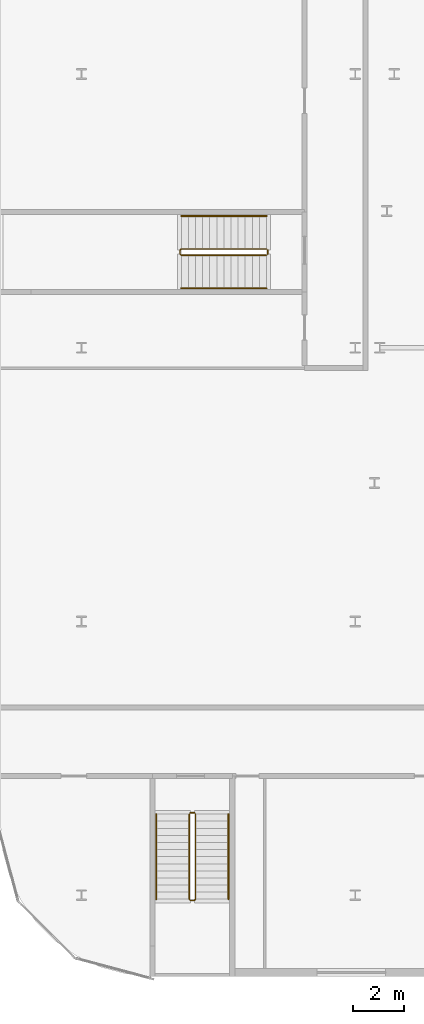
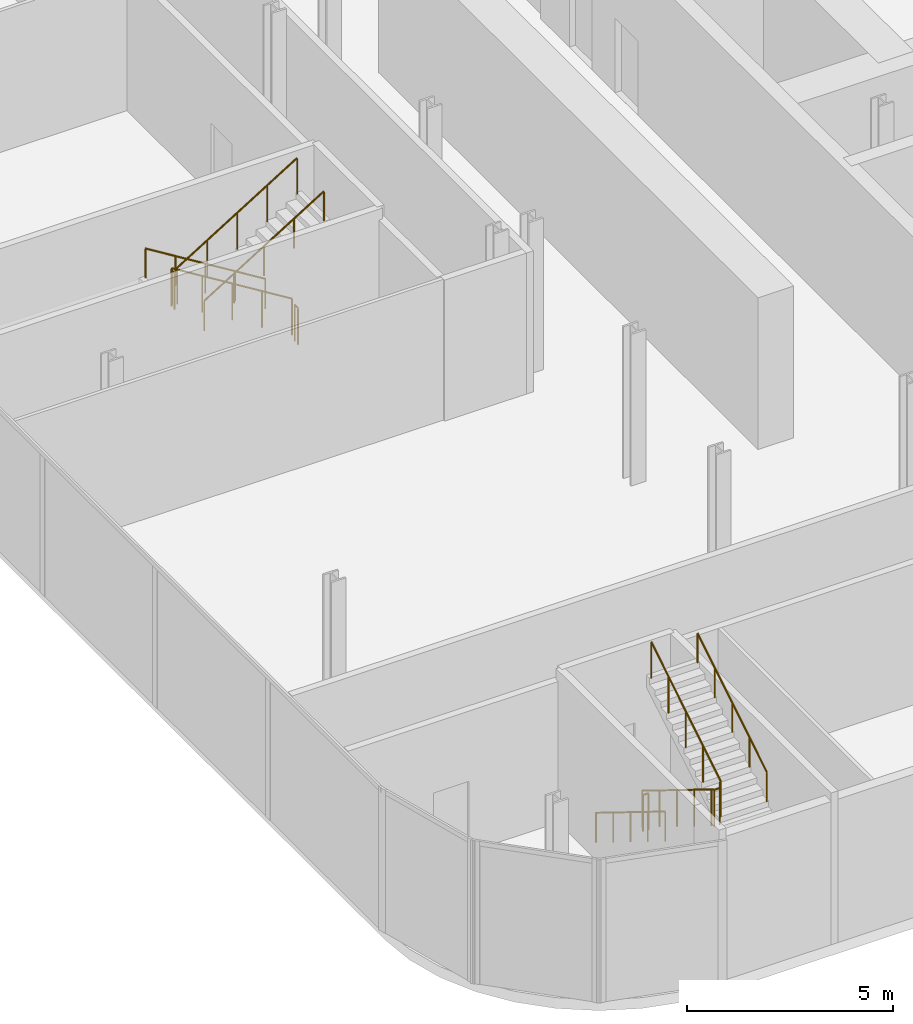
# One storey, part 39 of 47: 8 railings.
"""IFC4 building model written with IfcOpenShell, lengths in metres."""

from ifc_helpers import new_model, si_unit, direction, frame, origin, origin_2d, place, context, subcontext, project, spatial, circle, extrude, material, type_object, element, save


model = new_model("IFC4")

# Units and contexts
model_context = context("Model", 3, precision=1e-05, world=origin(), true_north=direction((0.0, 1.0)))
body_context = subcontext(model_context, "Body", "Model", "MODEL_VIEW")
ifc_project = project(units=[si_unit("LENGTHUNIT", "METRE"), si_unit("AREAUNIT", "SQUARE_METRE"), si_unit("VOLUMEUNIT", "CUBIC_METRE"), si_unit("PLANEANGLEUNIT", "RADIAN"), si_unit("MASSUNIT", "GRAM", prefix="KILO")], contexts=[model_context])

# Site, building, storey
site_placement = place(None, origin())
site = spatial("IfcSite", under=ifc_project, at=site_placement, CompositionType="ELEMENT")
building_placement = place(site_placement, origin())
building = spatial("IfcBuilding", under=site, at=building_placement, Name="Kheshtan School and Residences Tower", CompositionType="ELEMENT")
storey_placement = place(building_placement, frame((0.0, 0.0, 12.5)))
storey = spatial("IfcBuildingStorey", under=building, at=storey_placement, Name="L02", CompositionType="ELEMENT", Elevation=12.5)

# Railings
ifc_material_1 = material(Name="Stainless steel balustrade", Category="steel")
railing_type_1 = type_object("IfcRailingType", Name="Stair guard 1100", PredefinedType="GUARDRAIL", material=ifc_material_1)
railing_1_placement = place(storey_placement, frame((22.5, 38.699951171875, 0.173095703125)))
element("IfcRailing", 1, at=railing_1_placement, inside=storey, type_object=railing_type_1, Name="L02 PS-012-037 stair guard 1", PredefinedType="GUARDRAIL", context=body_context, shape_type="SweptSolid", body=[
    extrude(circle(Radius=0.02392578125, at=origin_2d()), frame((0.0, 0.0, 1.076171875), z_axis=(-0.850623216509, 0.0, 0.525775754039), x_axis=(0.0, -1.0, 0.0)), (0.0, 0.0, 1.0), 3.9501953125),
    extrude(circle(Radius=0.02392578125, at=origin_2d()), frame((-3.360107421875, 0.0, 3.15283203125), z_axis=(-0.705375805398, -0.708833529934, 0.0), x_axis=(0.708833529934, -0.705375805398, 0.0)), (0.0, 0.0, 1.0), 0.070556640625),
    extrude(circle(Radius=0.02392578125, at=origin_2d()), frame((-3.409912109375, -0.050048828125, 3.15283203125), z_axis=(0.0, -1.0, 0.0), x_axis=(1.0, 0.0, 0.0)), (0.0, 0.0, 1.0), 0.14990234375),
    extrude(circle(Radius=0.02392578125, at=origin_2d()), frame((-3.409912109375, -0.199951171875, 3.15283203125), z_axis=(0.266417085129, -0.267723051232, 0.925929967433), x_axis=(0.708833529934, 0.705375805398, 0.0)), (0.0, 0.0, 1.0), 0.18701171875),
    extrude(circle(Radius=0.02392578125, at=origin_2d()), frame((-3.360107421875, -0.25, 3.326171875), z_axis=(0.850623216509, 0.0, 0.525775754039), x_axis=(0.0, 1.0, 0.0)), (0.0, 0.0, 1.0), 3.9501953125),
    extrude(circle(Radius=0.02099609375, at=origin_2d()), origin(), (0.0, 0.0, 1.0), 1.052001953125),
    extrude(circle(Radius=0.02099609375, at=origin_2d()), frame((-0.840087890625, 0.0, 0.519287109375)), (0.0, 0.0, 1.0), 1.052001953125),
    extrude(circle(Radius=0.02099609375, at=origin_2d()), frame((-1.68017578125, 0.0, 1.03857421875)), (0.0, 0.0, 1.0), 1.052001953125),
    extrude(circle(Radius=0.02099609375, at=origin_2d()), frame((-2.52001953125, 0.0, 1.5576171875)), (0.0, 0.0, 1.0), 1.052001953125),
    extrude(circle(Radius=0.02099609375, at=origin_2d()), frame((-3.360107421875, 0.0, 2.076904296875)), (0.0, 0.0, 1.0), 1.052001953125),
    extrude(circle(Radius=0.02099609375, at=origin_2d()), frame((-3.409912109375, -0.050048828125, 2.076904296875)), (0.0, 0.0, 1.0), 1.052001953125),
    extrude(circle(Radius=0.02099609375, at=origin_2d()), frame((-3.409912109375, -0.199951171875, 2.076904296875)), (0.0, 0.0, 1.0), 1.052001953125),
    extrude(circle(Radius=0.02099609375, at=origin_2d()), frame((-3.360107421875, -0.25, 2.25)), (0.0, 0.0, 1.0), 1.052001953125),
    extrude(circle(Radius=0.02099609375, at=origin_2d()), frame((-2.52001953125, -0.25, 2.769287109375)), (0.0, 0.0, 1.0), 1.052001953125),
    extrude(circle(Radius=0.02099609375, at=origin_2d()), frame((-1.68017578125, -0.25, 3.28857421875)), (0.0, 0.0, 1.0), 1.052001953125),
    extrude(circle(Radius=0.02099609375, at=origin_2d()), frame((-0.840087890625, -0.25, 3.8076171875)), (0.0, 0.0, 1.0), 1.052001953125),
    extrude(circle(Radius=0.02099609375, at=origin_2d()), frame((0.0, -0.25, 4.326904296875)), (0.0, 0.0, 1.0), 1.052001953125),
])
railing_2_placement = place(storey_placement, frame((22.550048828125, 38.64990234375, 0.0)))
element("IfcRailing", 2, at=railing_2_placement, inside=storey, type_object=railing_type_1, Name="L02 PS-012-037 stair guard 2", PredefinedType="GUARDRAIL", context=body_context, shape_type="SweptSolid", body=[
    extrude(circle(Radius=0.02392578125, at=origin_2d()), frame((0.0, 0.0, 1.076171875), z_axis=(0.0, -1.0, 0.0), x_axis=(1.0, 0.0, 0.0)), (0.0, 0.0, 1.0), 0.14990234375),
    extrude(circle(Radius=0.02099609375, at=origin_2d()), origin(), (0.0, 0.0, 1.0), 1.052001953125),
    extrude(circle(Radius=0.02099609375, at=origin_2d()), frame((0.0, -0.14990234375, 0.0)), (0.0, 0.0, 1.0), 1.052001953125),
])
railing_3_placement = place(storey_placement, frame((19.449951171875, 16.39990234375, 0.173095703125)))
element("IfcRailing", 3, at=railing_3_placement, inside=storey, type_object=railing_type_1, Name="L02 PS-018-010 stair guard 1", PredefinedType="GUARDRAIL", context=body_context, shape_type="SweptSolid", body=[
    extrude(circle(Radius=0.02392578125, at=origin_2d()), frame((0.0, 0.0, 1.076171875), z_axis=(0.0, -0.850606129759, 0.525803396734), x_axis=(1.0, 0.0, 0.0)), (0.0, 0.0, 1.0), 3.949951171875),
    extrude(circle(Radius=0.02392578125, at=origin_2d()), frame((0.0, -3.35986328125, 3.15283203125), z_axis=(0.707106781187, -0.707106781187, 0.0), x_axis=(0.707106781187, 0.707106781187, 0.0)), (0.0, 0.0, 1.0), 0.07080078125),
    extrude(circle(Radius=0.02392578125, at=origin_2d()), frame((0.050048828125, -3.409912109375, 3.15283203125), z_axis=(1.0, 0.0, 0.0), x_axis=(0.0, 1.0, 0.0)), (0.0, 0.0, 1.0), 0.14990234375),
    extrude(circle(Radius=0.02392578125, at=origin_2d()), frame((0.199951171875, -3.409912109375, 3.15283203125), z_axis=(0.267629722418, 0.267629722418, 0.925607186314), x_axis=(-0.707106781187, 0.707106781187, 0.0)), (0.0, 0.0, 1.0), 0.18701171875),
    extrude(circle(Radius=0.02392578125, at=origin_2d()), frame((0.25, -3.35986328125, 3.326171875), z_axis=(0.0, 0.850606129759, 0.525803396734), x_axis=(-1.0, 0.0, 0.0)), (0.0, 0.0, 1.0), 3.949951171875),
    extrude(circle(Radius=0.02099609375, at=origin_2d()), origin(), (0.0, 0.0, 1.0), 1.052001953125),
    extrude(circle(Radius=0.02099609375, at=origin_2d()), frame((0.0, -0.83984375, 0.519287109375)), (0.0, 0.0, 1.0), 1.052001953125),
    extrude(circle(Radius=0.02099609375, at=origin_2d()), frame((0.0, -1.679931640625, 1.03857421875)), (0.0, 0.0, 1.0), 1.052001953125),
    extrude(circle(Radius=0.02099609375, at=origin_2d()), frame((0.0, -2.52001953125, 1.5576171875)), (0.0, 0.0, 1.0), 1.052001953125),
    extrude(circle(Radius=0.02099609375, at=origin_2d()), frame((0.0, -3.35986328125, 2.076904296875)), (0.0, 0.0, 1.0), 1.052001953125),
    extrude(circle(Radius=0.02099609375, at=origin_2d()), frame((0.050048828125, -3.409912109375, 2.076904296875)), (0.0, 0.0, 1.0), 1.052001953125),
    extrude(circle(Radius=0.02099609375, at=origin_2d()), frame((0.199951171875, -3.409912109375, 2.076904296875)), (0.0, 0.0, 1.0), 1.052001953125),
    extrude(circle(Radius=0.02099609375, at=origin_2d()), frame((0.25, -3.35986328125, 2.25)), (0.0, 0.0, 1.0), 1.052001953125),
    extrude(circle(Radius=0.02099609375, at=origin_2d()), frame((0.25, -2.52001953125, 2.769287109375)), (0.0, 0.0, 1.0), 1.052001953125),
    extrude(circle(Radius=0.02099609375, at=origin_2d()), frame((0.25, -1.679931640625, 3.28857421875)), (0.0, 0.0, 1.0), 1.052001953125),
    extrude(circle(Radius=0.02099609375, at=origin_2d()), frame((0.25, -0.83984375, 3.8076171875)), (0.0, 0.0, 1.0), 1.052001953125),
    extrude(circle(Radius=0.02099609375, at=origin_2d()), frame((0.25, 0.0, 4.326904296875)), (0.0, 0.0, 1.0), 1.052001953125),
])
railing_4_placement = place(storey_placement, frame((19.5, 16.449951171875, 0.0)))
element("IfcRailing", 4, at=railing_4_placement, inside=storey, type_object=railing_type_1, Name="L02 PS-018-010 stair guard 2", PredefinedType="GUARDRAIL", context=body_context, shape_type="SweptSolid", body=[
    extrude(circle(Radius=0.02392578125, at=origin_2d()), frame((0.0, 0.0, 1.076171875), z_axis=(1.0, 0.0, 0.0), x_axis=(0.0, 1.0, 0.0)), (0.0, 0.0, 1.0), 0.14990234375),
    extrude(circle(Radius=0.02099609375, at=origin_2d()), origin(), (0.0, 0.0, 1.0), 1.052001953125),
    extrude(circle(Radius=0.02099609375, at=origin_2d()), frame((0.14990234375, 0.0, 0.0)), (0.0, 0.0, 1.0), 1.052001953125),
])
ifc_material_2 = material(Name="Stainless steel handrail", Category="steel")
railing_type_2 = type_object("IfcRailingType", Name="Stair handrail 900", PredefinedType="HANDRAIL", material=ifc_material_2)
railing_5_placement = place(storey_placement, frame((22.5, 40.0, 0.173095703125)))
element("IfcRailing", 5, at=railing_5_placement, inside=storey, type_object=railing_type_2, Name="L02 PS-012-037 stair handrail 1", PredefinedType="HANDRAIL", context=body_context, shape_type="SweptSolid", body=[
    extrude(circle(Radius=0.02392578125, at=origin_2d()), frame((0.0, 0.0, 0.8759765625), z_axis=(-0.850623216509, 0.0, 0.525775754039), x_axis=(0.0, -1.0, 0.0)), (0.0, 0.0, 1.0), 3.9501953125),
    extrude(circle(Radius=0.02099609375, at=origin_2d()), origin(), (0.0, 0.0, 1.0), 0.851806640625),
    extrude(circle(Radius=0.02099609375, at=origin_2d()), frame((-0.840087890625, 0.0, 0.519287109375)), (0.0, 0.0, 1.0), 0.851806640625),
    extrude(circle(Radius=0.02099609375, at=origin_2d()), frame((-1.68017578125, 0.0, 1.03857421875)), (0.0, 0.0, 1.0), 0.851806640625),
    extrude(circle(Radius=0.02099609375, at=origin_2d()), frame((-2.52001953125, 0.0, 1.5576171875)), (0.0, 0.0, 1.0), 0.851806640625),
    extrude(circle(Radius=0.02099609375, at=origin_2d()), frame((-3.360107421875, 0.0, 2.076904296875)), (0.0, 0.0, 1.0), 0.851806640625),
])
railing_6_placement = place(storey_placement, frame((19.139892578125, 37.14990234375, 2.423095703125)))
element("IfcRailing", 6, at=railing_6_placement, inside=storey, type_object=railing_type_2, Name="L02 PS-012-037 stair handrail 2", PredefinedType="HANDRAIL", context=body_context, shape_type="SweptSolid", body=[
    extrude(circle(Radius=0.02392578125, at=origin_2d()), frame((0.0, 0.0, 0.8759765625), z_axis=(0.850623216509, 0.0, 0.525775754039), x_axis=(0.0, 1.0, 0.0)), (0.0, 0.0, 1.0), 3.9501953125),
    extrude(circle(Radius=0.02099609375, at=origin_2d()), origin(), (0.0, 0.0, 1.0), 0.851806640625),
    extrude(circle(Radius=0.02099609375, at=origin_2d()), frame((0.840087890625, 0.0, 0.519287109375)), (0.0, 0.0, 1.0), 0.851806640625),
    extrude(circle(Radius=0.02099609375, at=origin_2d()), frame((1.68017578125, 0.0, 1.03857421875)), (0.0, 0.0, 1.0), 0.851806640625),
    extrude(circle(Radius=0.02099609375, at=origin_2d()), frame((2.52001953125, 0.0, 1.5576171875)), (0.0, 0.0, 1.0), 0.851806640625),
    extrude(circle(Radius=0.02099609375, at=origin_2d()), frame((3.360107421875, 0.0, 2.076904296875)), (0.0, 0.0, 1.0), 0.851806640625),
])
railing_7_placement = place(storey_placement, frame((18.14990234375, 16.39990234375, 0.173095703125)))
element("IfcRailing", 7, at=railing_7_placement, inside=storey, type_object=railing_type_2, Name="L02 PS-018-010 stair handrail 1", PredefinedType="HANDRAIL", context=body_context, shape_type="SweptSolid", body=[
    extrude(circle(Radius=0.02392578125, at=origin_2d()), frame((0.0, 0.0, 0.8759765625), z_axis=(0.0, -0.850606129759, 0.525803396734), x_axis=(1.0, 0.0, 0.0)), (0.0, 0.0, 1.0), 3.949951171875),
    extrude(circle(Radius=0.02099609375, at=origin_2d()), origin(), (0.0, 0.0, 1.0), 0.851806640625),
    extrude(circle(Radius=0.02099609375, at=origin_2d()), frame((0.0, -0.83984375, 0.519287109375)), (0.0, 0.0, 1.0), 0.851806640625),
    extrude(circle(Radius=0.02099609375, at=origin_2d()), frame((0.0, -1.679931640625, 1.03857421875)), (0.0, 0.0, 1.0), 0.851806640625),
    extrude(circle(Radius=0.02099609375, at=origin_2d()), frame((0.0, -2.52001953125, 1.5576171875)), (0.0, 0.0, 1.0), 0.851806640625),
    extrude(circle(Radius=0.02099609375, at=origin_2d()), frame((0.0, -3.35986328125, 2.076904296875)), (0.0, 0.0, 1.0), 0.851806640625),
])
railing_8_placement = place(storey_placement, frame((21.0, 13.0400390625, 2.423095703125)))
element("IfcRailing", 8, at=railing_8_placement, inside=storey, type_object=railing_type_2, Name="L02 PS-018-010 stair handrail 2", PredefinedType="HANDRAIL", context=body_context, shape_type="SweptSolid", body=[
    extrude(circle(Radius=0.02392578125, at=origin_2d()), frame((0.0, 0.0, 0.8759765625), z_axis=(0.0, 0.850606129759, 0.525803396734), x_axis=(-1.0, 0.0, 0.0)), (0.0, 0.0, 1.0), 3.949951171875),
    extrude(circle(Radius=0.02099609375, at=origin_2d()), origin(), (0.0, 0.0, 1.0), 0.851806640625),
    extrude(circle(Radius=0.02099609375, at=origin_2d()), frame((0.0, 0.83984375, 0.519287109375)), (0.0, 0.0, 1.0), 0.851806640625),
    extrude(circle(Radius=0.02099609375, at=origin_2d()), frame((0.0, 1.679931640625, 1.03857421875)), (0.0, 0.0, 1.0), 0.851806640625),
    extrude(circle(Radius=0.02099609375, at=origin_2d()), frame((0.0, 2.52001953125, 1.5576171875)), (0.0, 0.0, 1.0), 0.851806640625),
    extrude(circle(Radius=0.02099609375, at=origin_2d()), frame((0.0, 3.35986328125, 2.076904296875)), (0.0, 0.0, 1.0), 0.851806640625),
])

save(model, "model.ifc")
